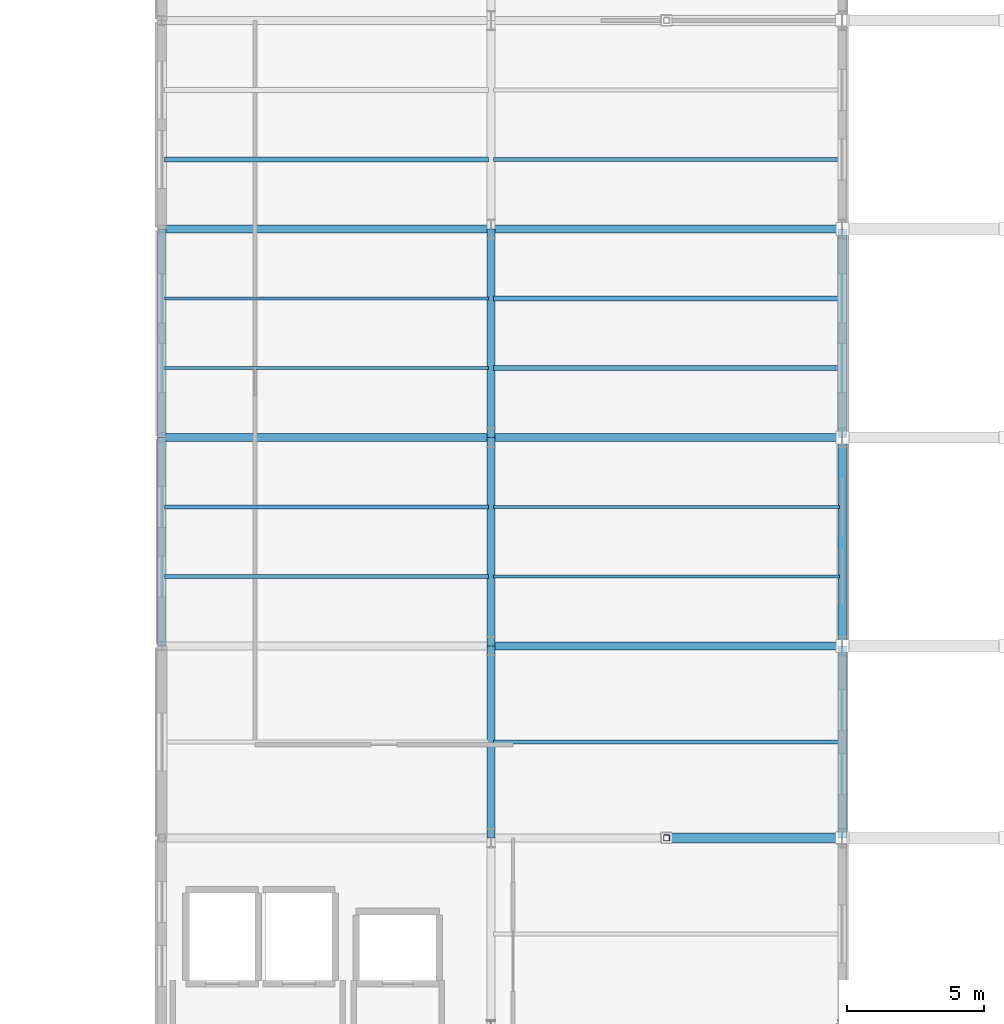
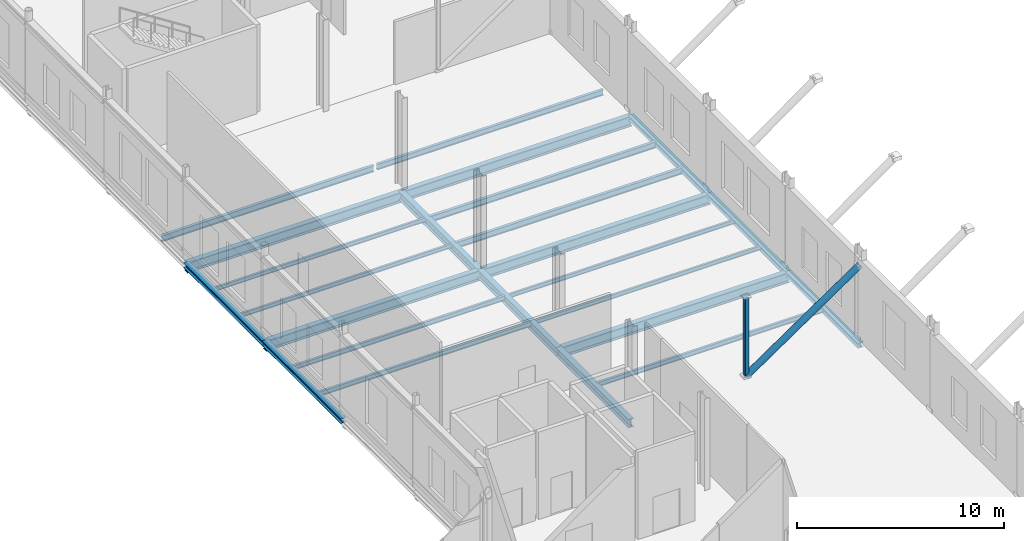
# One storey, part 94 of 147: 24 beams, 2 members.
"""IFC4 building model written with IfcOpenShell, lengths in metres."""

from ifc_helpers import new_model, si_unit, direction, frame, origin, origin_2d, place, context, subcontext, project, spatial, hollow_rectangle, hollow_circle, i_section, extrude, material, material_profile, profile_set, type_object, element, save


model = new_model("IFC4")

# Units and contexts
model_context = context("Model", 3, precision=1e-05, world=origin(), true_north=direction((0.0, 1.0)))
body_context = subcontext(model_context, "Body", "Model", "MODEL_VIEW")
ifc_project = project(units=[si_unit("LENGTHUNIT", "METRE"), si_unit("AREAUNIT", "SQUARE_METRE"), si_unit("VOLUMEUNIT", "CUBIC_METRE"), si_unit("PLANEANGLEUNIT", "RADIAN"), si_unit("MASSUNIT", "GRAM", prefix="KILO")], contexts=[model_context])

# Site, building, storey
site_placement = place(None, origin())
site = spatial("IfcSite", under=ifc_project, at=site_placement, CompositionType="ELEMENT")
building_placement = place(site_placement, origin())
building = spatial("IfcBuilding", under=site, at=building_placement, Name="Vekula Escarpment Museum", CompositionType="ELEMENT")
storey_placement = place(building_placement, frame((0.0, 0.0, 7.800048828125)))
storey = spatial("IfcBuildingStorey", under=building, at=storey_placement, Name="L02", CompositionType="ELEMENT", Elevation=7.800048828125)

# Beams
ifc_material_1 = material(Name="Steel S355", Category="steel")
ifc_material_profile_1 = material_profile(ifc_material_1, i_section(OverallWidth=0.300048828125, OverallDepth=0.5, WebThickness=0.014404296875, FlangeThickness=0.028076171875, FilletRadius=0.027099609375, at=origin_2d()), Name="HEB 500")
ifc_profile_set_1 = profile_set([ifc_material_profile_1], Name="Steel S355")
beam_type_1 = type_object("IfcBeamType", Name="BM-GIRD-HEB500", PredefinedType="BEAM", material=ifc_profile_set_1)
beam_1_placement = place(storey_placement, frame((179.0, 83.39990234375, -0.510009765625), z_axis=(0.0, 1.0, 0.0), x_axis=(-1.0, 0.0, 0.0)))
element("IfcBeam", 1, at=beam_1_placement, inside=storey, type_object=beam_type_1, Name="Beam Y L02 1251", PredefinedType="BEAM", context=body_context, shape_type="SweptSolid", body=[
    extrude(i_section(OverallWidth=0.300048828125, OverallDepth=0.5, WebThickness=0.014404296875, FlangeThickness=0.028076171875, FilletRadius=0.027099609375, at=origin_2d()), origin(), (0.0, 0.0, 1.0), 7.0),
])
for number, where, z_axis, x_axis, name in (
    (2, (179.0, 90.39990234375, -0.510009765625), (0.0, 1.0, 0.0), (-1.0, 0.0, 0.0), "Beam Y L02 1252"),
    (3, (179.0, 98.0, -0.510009765625), (0.0, 1.0, 0.0), (-1.0, 0.0, 0.0), "Beam Y L02 1253"),
):
    element("IfcBeam", number, at=place(storey_placement, frame(where, z_axis=z_axis, x_axis=x_axis)), inside=storey, type_object=beam_type_1, Name=name, PredefinedType="BEAM", context=body_context, shape_type="SweptSolid", body=[
        extrude(i_section(OverallWidth=0.300048828125, OverallDepth=0.5, WebThickness=0.014404296875, FlangeThickness=0.028076171875, FilletRadius=0.027099609375, at=origin_2d()), origin(), (0.0, 0.0, 1.0), 7.60009765625),
    ])
ifc_material_2 = material(Name="Steel S355", Category="steel")
ifc_material_profile_2 = material_profile(ifc_material_2, i_section(OverallWidth=0.300048828125, OverallDepth=0.60009765625, WebThickness=0.015380859375, FlangeThickness=0.030029296875, FilletRadius=0.027099609375, at=origin_2d()), Name="HEB 600")
ifc_profile_set_2 = profile_set([ifc_material_profile_2], Name="Steel S355")
beam_type_2 = type_object("IfcBeamType", Name="BM-GIRD-HEB600", PredefinedType="BEAM", material=ifc_profile_set_2)
beam_2_placement = place(storey_placement, frame((179.0, 90.39990234375, -0.56005859375), z_axis=(1.0, 0.0, 0.0), x_axis=(0.0, 1.0, 0.0)))
element("IfcBeam", 4, at=beam_2_placement, inside=storey, type_object=beam_type_2, Name="Beam X L02 0958", PredefinedType="BEAM", context=body_context, shape_type="SweptSolid", body=[
    extrude(i_section(OverallWidth=0.300048828125, OverallDepth=0.60009765625, WebThickness=0.015380859375, FlangeThickness=0.030029296875, FilletRadius=0.027099609375, at=origin_2d()), origin(), (0.0, 0.0, 1.0), 12.800048828125),
])
beam_3_placement = place(storey_placement, frame((167.0, 98.0, -0.56005859375), z_axis=(1.0, 0.0, 0.0), x_axis=(0.0, 1.0, 0.0)))
element("IfcBeam", 5, at=beam_3_placement, inside=storey, type_object=beam_type_2, Name="Beam X L02 0961", PredefinedType="BEAM", context=body_context, shape_type="SweptSolid", body=[
    extrude(i_section(OverallWidth=0.300048828125, OverallDepth=0.60009765625, WebThickness=0.015380859375, FlangeThickness=0.030029296875, FilletRadius=0.027099609375, at=origin_2d()), origin(), (0.0, 0.0, 1.0), 12.0),
])
beam_4_placement = place(storey_placement, frame((179.0, 98.0, -0.56005859375), z_axis=(1.0, 0.0, 0.0), x_axis=(0.0, 1.0, 0.0)))
element("IfcBeam", 6, at=beam_4_placement, inside=storey, type_object=beam_type_2, Name="Beam X L02 0962", PredefinedType="BEAM", context=body_context, shape_type="SweptSolid", body=[
    extrude(i_section(OverallWidth=0.300048828125, OverallDepth=0.60009765625, WebThickness=0.015380859375, FlangeThickness=0.030029296875, FilletRadius=0.027099609375, at=origin_2d()), origin(), (0.0, 0.0, 1.0), 12.800048828125),
])
beam_5_placement = place(storey_placement, frame((167.0, 105.60009765625, -0.56005859375), z_axis=(1.0, 0.0, 0.0), x_axis=(0.0, 1.0, 0.0)))
element("IfcBeam", 7, at=beam_5_placement, inside=storey, type_object=beam_type_2, Name="Beam X L02 0965", PredefinedType="BEAM", context=body_context, shape_type="SweptSolid", body=[
    extrude(i_section(OverallWidth=0.300048828125, OverallDepth=0.60009765625, WebThickness=0.015380859375, FlangeThickness=0.030029296875, FilletRadius=0.027099609375, at=origin_2d()), origin(), (0.0, 0.0, 1.0), 12.0),
])
beam_6_placement = place(storey_placement, frame((179.0, 105.60009765625, -0.56005859375), z_axis=(1.0, 0.0, 0.0), x_axis=(0.0, 1.0, 0.0)))
element("IfcBeam", 8, at=beam_6_placement, inside=storey, type_object=beam_type_2, Name="Beam X L02 0966", PredefinedType="BEAM", context=body_context, shape_type="SweptSolid", body=[
    extrude(i_section(OverallWidth=0.300048828125, OverallDepth=0.60009765625, WebThickness=0.015380859375, FlangeThickness=0.030029296875, FilletRadius=0.027099609375, at=origin_2d()), origin(), (0.0, 0.0, 1.0), 12.800048828125),
])
ifc_material_3 = material(Name="Steel S355", Category="steel")
ifc_material_profile_3 = material_profile(ifc_material_3, i_section(OverallWidth=0.1201171875, OverallDepth=0.239990234375, WebThickness=0.006103515625, FlangeThickness=0.009765625, FilletRadius=0.014892578125, at=origin_2d()), Name="IPE 240")
ifc_profile_set_3 = profile_set([ifc_material_profile_3], Name="Steel S355")
beam_type_3 = type_object("IfcBeamType", Name="BM-JST-IPE240", PredefinedType="JOIST", material=ifc_profile_set_3)
for number, where, z_axis, x_axis, name in (
    (9, (167.090087890625, 100.533203125, -0.380126953125), (1.0, 0.0, 0.0), (0.0, 1.0, 0.0), "Secondary Joist L02 0860"),
    (10, (167.090087890625, 103.066650390625, -0.380126953125), (1.0, 0.0, 0.0), (0.0, 1.0, 0.0), "Secondary Joist L02 0861"),
):
    element("IfcBeam", number, at=place(storey_placement, frame(where, z_axis=z_axis, x_axis=x_axis)), inside=storey, type_object=beam_type_3, Name=name, PredefinedType="JOIST", context=body_context, shape_type="SweptSolid", body=[
        extrude(i_section(OverallWidth=0.1201171875, OverallDepth=0.239990234375, WebThickness=0.006103515625, FlangeThickness=0.009765625, FilletRadius=0.014892578125, at=origin_2d()), origin(), (0.0, 0.0, 1.0), 11.81982421875),
    ])
for number, where, z_axis, x_axis, name in (
    (11, (179.090087890625, 92.933349609375, -0.380126953125), (1.0, 0.0, 0.0), (0.0, 1.0, 0.0), "Secondary Joist L02 0876"),
    (12, (179.090087890625, 95.466796875, -0.380126953125), (1.0, 0.0, 0.0), (0.0, 1.0, 0.0), "Secondary Joist L02 0877"),
):
    element("IfcBeam", number, at=place(storey_placement, frame(where, z_axis=z_axis, x_axis=x_axis)), inside=storey, type_object=beam_type_3, Name=name, PredefinedType="JOIST", context=body_context, shape_type="SweptSolid", body=[
        extrude(i_section(OverallWidth=0.1201171875, OverallDepth=0.239990234375, WebThickness=0.006103515625, FlangeThickness=0.009765625, FilletRadius=0.014892578125, at=origin_2d()), origin(), (0.0, 0.0, 1.0), 12.619873046875),
    ])
ifc_material_4 = material(Name="Steel S355", Category="steel")
ifc_material_profile_4 = material_profile(ifc_material_4, i_section(OverallWidth=0.135009765625, OverallDepth=0.27001953125, WebThickness=0.006591796875, FlangeThickness=0.01025390625, FilletRadius=0.014892578125, at=origin_2d()), Name="IPE 270")
ifc_profile_set_4 = profile_set([ifc_material_profile_4], Name="Steel S355")
beam_type_4 = type_object("IfcBeamType", Name="BM-JST-IPE270", PredefinedType="JOIST", material=ifc_profile_set_4)
for number, where, z_axis, x_axis, name in (
    (13, (167.090087890625, 92.933349609375, -0.39501953125), (1.0, 0.0, 0.0), (0.0, 1.0, 0.0), "Secondary Joist L02 0858"),
    (14, (167.090087890625, 95.466796875, -0.39501953125), (1.0, 0.0, 0.0), (0.0, 1.0, 0.0), "Secondary Joist L02 0859"),
):
    element("IfcBeam", number, at=place(storey_placement, frame(where, z_axis=z_axis, x_axis=x_axis)), inside=storey, type_object=beam_type_4, Name=name, PredefinedType="JOIST", context=body_context, shape_type="SweptSolid", body=[
        extrude(i_section(OverallWidth=0.135009765625, OverallDepth=0.27001953125, WebThickness=0.006591796875, FlangeThickness=0.01025390625, FilletRadius=0.014892578125, at=origin_2d()), origin(), (0.0, 0.0, 1.0), 11.81982421875),
    ])
beam_7_placement = place(storey_placement, frame((179.090087890625, 86.89990234375, -0.39501953125), z_axis=(1.0, 0.0, 0.0), x_axis=(0.0, 1.0, 0.0)))
element("IfcBeam", 15, at=beam_7_placement, inside=storey, type_object=beam_type_4, Name="Secondary Joist L02 0875", PredefinedType="JOIST", context=body_context, shape_type="SweptSolid", body=[
    extrude(i_section(OverallWidth=0.135009765625, OverallDepth=0.27001953125, WebThickness=0.006591796875, FlangeThickness=0.01025390625, FilletRadius=0.014892578125, at=origin_2d()), origin(), (0.0, 0.0, 1.0), 12.619873046875),
])
ifc_material_5 = material(Name="Steel S355", Category="steel")
ifc_material_profile_5 = material_profile(ifc_material_5, i_section(OverallWidth=0.159912109375, OverallDepth=0.330078125, WebThickness=0.007568359375, FlangeThickness=0.011474609375, FilletRadius=0.01806640625, at=origin_2d()), Name="IPE 330")
ifc_profile_set_5 = profile_set([ifc_material_profile_5], Name="Steel S355")
beam_type_5 = type_object("IfcBeamType", Name="BM-JST-IPE330", PredefinedType="JOIST", material=ifc_profile_set_5)
beam_8_placement = place(storey_placement, frame((179.090087890625, 108.13330078125, -0.425048828125), z_axis=(1.0, 0.0, 0.0), x_axis=(0.0, 1.0, 0.0)))
element("IfcBeam", 16, at=beam_8_placement, inside=storey, type_object=beam_type_5, Name="Secondary Joist L02 0880", PredefinedType="JOIST", context=body_context, shape_type="SweptSolid", body=[
    extrude(i_section(OverallWidth=0.159912109375, OverallDepth=0.330078125, WebThickness=0.007568359375, FlangeThickness=0.011474609375, FilletRadius=0.01806640625, at=origin_2d()), origin(), (0.0, 0.0, 1.0), 12.619873046875),
])
ifc_material_6 = material(Name="Steel S355", Category="steel")
ifc_material_profile_6 = material_profile(ifc_material_6, i_section(OverallWidth=0.169921875, OverallDepth=0.360107421875, WebThickness=0.008056640625, FlangeThickness=0.0126953125, FilletRadius=0.01806640625, at=origin_2d()), Name="IPE 360")
ifc_profile_set_6 = profile_set([ifc_material_profile_6], Name="Steel S355")
beam_type_6 = type_object("IfcBeamType", Name="BM-JST-IPE360", PredefinedType="JOIST", material=ifc_profile_set_6)
beam_9_placement = place(storey_placement, frame((167.090087890625, 108.13330078125, -0.43994140625), z_axis=(1.0, 0.0, 0.0), x_axis=(0.0, 1.0, 0.0)))
element("IfcBeam", 17, at=beam_9_placement, inside=storey, type_object=beam_type_6, Name="Secondary Joist L02 0862", PredefinedType="JOIST", context=body_context, shape_type="SweptSolid", body=[
    extrude(i_section(OverallWidth=0.169921875, OverallDepth=0.360107421875, WebThickness=0.008056640625, FlangeThickness=0.0126953125, FilletRadius=0.01806640625, at=origin_2d()), origin(), (0.0, 0.0, 1.0), 11.81982421875),
])
for number, where, z_axis, x_axis, name in (
    (18, (179.090087890625, 100.533203125, -0.43994140625), (1.0, 0.0, 0.0), (0.0, 1.0, 0.0), "Secondary Joist L02 0878"),
    (19, (179.090087890625, 103.066650390625, -0.43994140625), (1.0, 0.0, 0.0), (0.0, 1.0, 0.0), "Secondary Joist L02 0879"),
):
    element("IfcBeam", number, at=place(storey_placement, frame(where, z_axis=z_axis, x_axis=x_axis)), inside=storey, type_object=beam_type_6, Name=name, PredefinedType="JOIST", context=body_context, shape_type="SweptSolid", body=[
        extrude(i_section(OverallWidth=0.169921875, OverallDepth=0.360107421875, WebThickness=0.008056640625, FlangeThickness=0.0126953125, FilletRadius=0.01806640625, at=origin_2d()), origin(), (0.0, 0.0, 1.0), 12.619873046875),
    ])
ifc_material_7 = material(Name="Steel S355", Category="steel")
ifc_material_profile_7 = material_profile(ifc_material_7, i_section(OverallWidth=0.300048828125, OverallDepth=0.2900390625, WebThickness=0.008544921875, FlangeThickness=0.013916015625, FilletRadius=0.027099609375, at=origin_2d()), Name="HEA 300")
ifc_profile_set_7 = profile_set([ifc_material_profile_7], Name="Steel S355")
beam_type_7 = type_object("IfcBeamType", Name="BM-SPAN-HEA300", PredefinedType="SPANDREL", material=ifc_profile_set_7)
for number, where, z_axis, x_axis, name in (
    (20, (167.0, 90.39990234375, -0.405029296875), (0.0, 1.0, 0.0), (-1.0, 0.0, 0.0), "Beam Y L02 1233"),
    (21, (167.0, 98.0, -0.405029296875), (0.0, 1.0, 0.0), (-1.0, 0.0, 0.0), "Beam Y L02 1234"),
):
    element("IfcBeam", number, at=place(storey_placement, frame(where, z_axis=z_axis, x_axis=x_axis)), inside=storey, type_object=beam_type_7, Name=name, PredefinedType="SPANDREL", context=body_context, shape_type="SweptSolid", body=[
        extrude(i_section(OverallWidth=0.300048828125, OverallDepth=0.2900390625, WebThickness=0.008544921875, FlangeThickness=0.013916015625, FilletRadius=0.027099609375, at=origin_2d()), origin(), (0.0, 0.0, 1.0), 7.60009765625),
    ])
beam_10_placement = place(storey_placement, frame((191.800048828125, 83.39990234375, -0.405029296875), z_axis=(0.0, 1.0, 0.0), x_axis=(-1.0, 0.0, 0.0)))
element("IfcBeam", 22, at=beam_10_placement, inside=storey, type_object=beam_type_7, Name="Beam Y L02 1263", PredefinedType="SPANDREL", context=body_context, shape_type="SweptSolid", body=[
    extrude(i_section(OverallWidth=0.300048828125, OverallDepth=0.2900390625, WebThickness=0.008544921875, FlangeThickness=0.013916015625, FilletRadius=0.027099609375, at=origin_2d()), origin(), (0.0, 0.0, 1.0), 7.0),
])
for number, where, z_axis, x_axis, name in (
    (23, (191.800048828125, 90.39990234375, -0.405029296875), (0.0, 1.0, 0.0), (-1.0, 0.0, 0.0), "Beam Y L02 1264"),
    (24, (191.800048828125, 98.0, -0.405029296875), (0.0, 1.0, 0.0), (-1.0, 0.0, 0.0), "Beam Y L02 1265"),
):
    element("IfcBeam", number, at=place(storey_placement, frame(where, z_axis=z_axis, x_axis=x_axis)), inside=storey, type_object=beam_type_7, Name=name, PredefinedType="SPANDREL", context=body_context, shape_type="SweptSolid", body=[
        extrude(i_section(OverallWidth=0.300048828125, OverallDepth=0.2900390625, WebThickness=0.008544921875, FlangeThickness=0.013916015625, FilletRadius=0.027099609375, at=origin_2d()), origin(), (0.0, 0.0, 1.0), 7.60009765625),
    ])

# Members
ifc_material_8 = material(Name="Steel S355", Category="steel")
ifc_material_profile_8 = material_profile(ifc_material_8, hollow_circle(Radius=0.177734375, WallThickness=0.01611328125, at=origin_2d()), Name="CHS 355.6x16")
ifc_profile_set_8 = profile_set([ifc_material_profile_8], Name="Steel S355")
member_type_1 = type_object("IfcMemberType", Name="MB-ELIB-STRUT", PredefinedType="STRUT", material=ifc_profile_set_8)
member_1_placement = place(storey_placement, frame((185.39990234375, 83.39990234375, 0.02001953125), z_axis=(0.826213901709, 0.0, 0.563356537747), x_axis=(0.0, 1.0, 0.0)))
element("IfcMember", 25, at=member_1_placement, inside=storey, type_object=member_type_1, Name="Cumba Back-Span Elibogrunde Strut 02", PredefinedType="STRUT", context=body_context, shape_type="SweptSolid", body=[
    extrude(hollow_circle(Radius=0.177734375, WallThickness=0.01611328125, at=origin_2d()), origin(), (0.0, 0.0, 1.0), 7.685791015625),
])
ifc_material_9 = material(Name="Steel S355", Category="steel")
ifc_material_profile_9 = material_profile(ifc_material_9, hollow_rectangle(XDim=0.219970703125, YDim=0.219970703125, WallThickness=0.011962890625, InnerFilletRadius=0.011962890625, OuterFilletRadius=0.02392578125, at=origin_2d()), Name="SHS 220x220x12")
ifc_profile_set_9 = profile_set([ifc_material_profile_9], Name="Steel S355")
member_type_2 = type_object("IfcMemberType", Name="MB-POST-SHS220", PredefinedType="STRUT", material=ifc_profile_set_9)
member_2_placement = place(storey_placement, frame((185.39990234375, 83.39990234375, 0.02001953125), z_axis=(0.0, 0.0, 1.0), x_axis=(1.0, 0.0, 0.0)))
element("IfcMember", 26, at=member_2_placement, inside=storey, type_object=member_type_2, Name="Cumba Back-Span Tie Post 02", PredefinedType="STRUT", context=body_context, shape_type="SweptSolid", body=[
    extrude(hollow_rectangle(XDim=0.219970703125, YDim=0.219970703125, WallThickness=0.011962890625, InnerFilletRadius=0.011962890625, OuterFilletRadius=0.02392578125, at=origin_2d()), origin(), (0.0, 0.0, 1.0), 4.679931640625),
])

save(model, "model.ifc")
